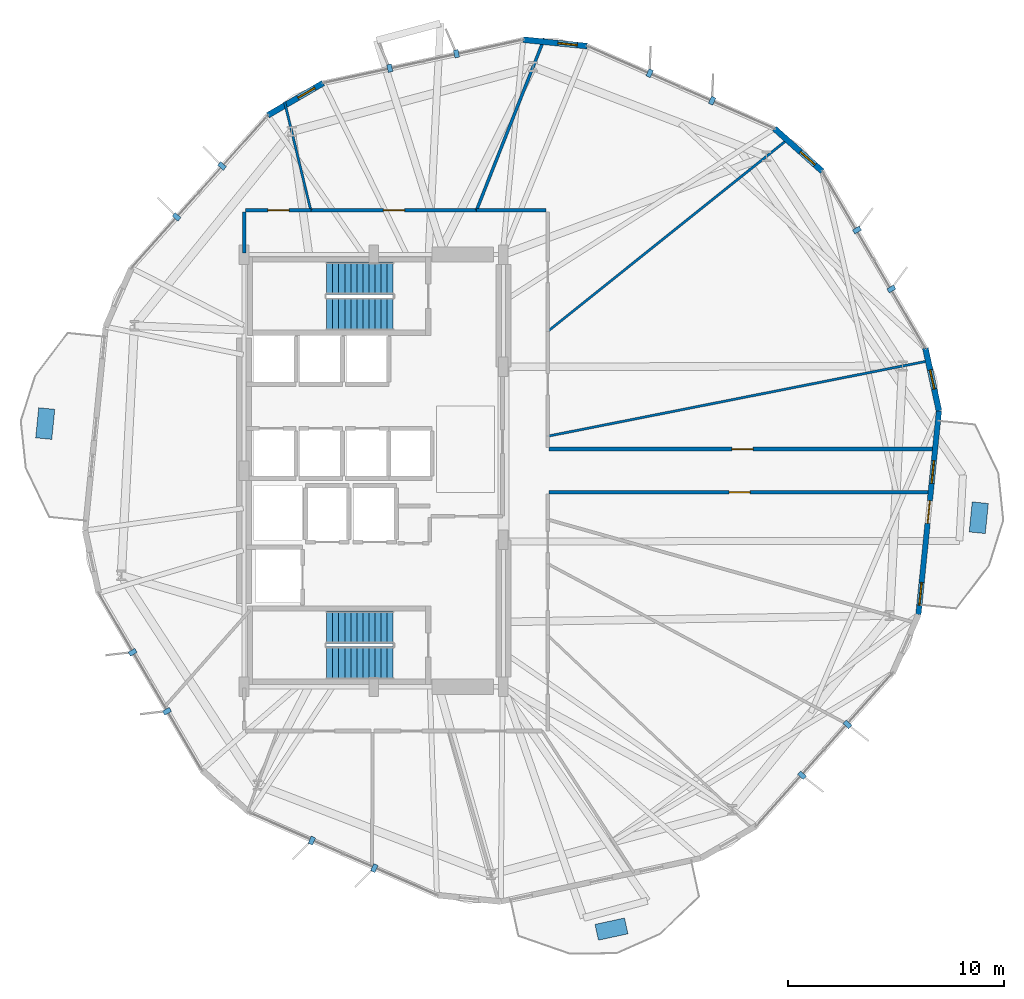
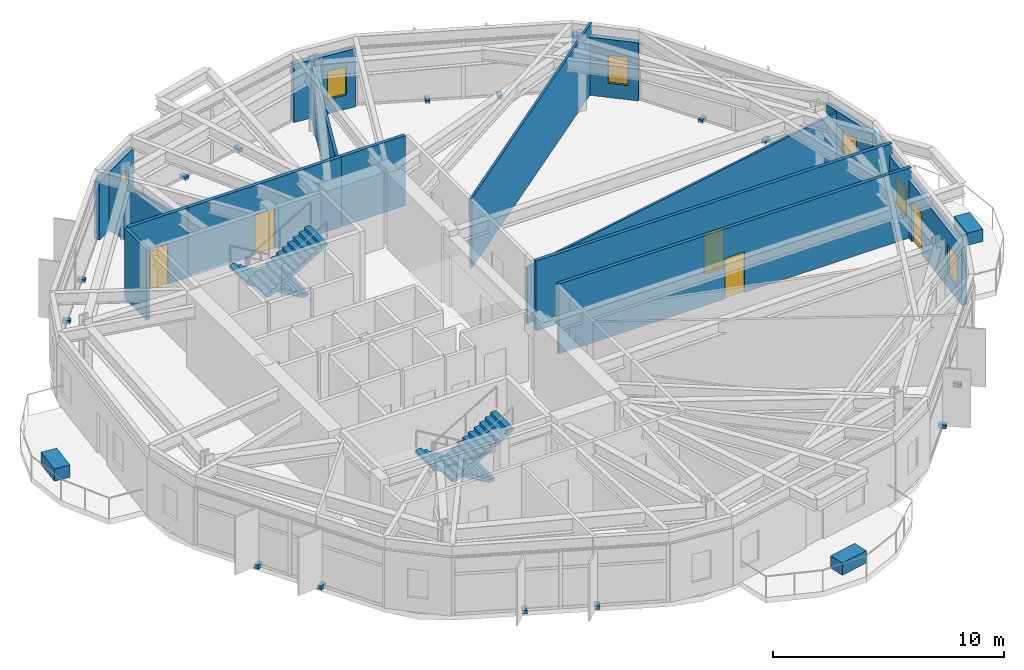
# One storey, part 19 of 22: 17 discrete accessories, 15 walls, 6 windows, 5 doors, 4 stair flights, 11 openings, 2 elements without a shape of their own.
"""IFC4 building model written with IfcOpenShell, lengths in metres."""

from ifc_helpers import new_model, si_unit, direction, frame, frame_2d, origin, origin_2d, place, context, subcontext, project, spatial, polyline, rectangle, outline, extrude, material, layer, layer_set, type_object, element, fill, aggregate, save


model = new_model("IFC4")

# Units and contexts
model_context = context("Model", 3, precision=1e-05, world=origin(), true_north=direction((0.0, 1.0)))
body_context = subcontext(model_context, "Body", "Model", "MODEL_VIEW")
ifc_project = project(units=[si_unit("LENGTHUNIT", "METRE"), si_unit("AREAUNIT", "SQUARE_METRE"), si_unit("VOLUMEUNIT", "CUBIC_METRE"), si_unit("PLANEANGLEUNIT", "RADIAN"), si_unit("MASSUNIT", "GRAM", prefix="KILO")], contexts=[model_context])

# Site, building, storey
site_placement = place(None, origin())
site = spatial("IfcSite", under=ifc_project, at=site_placement, CompositionType="ELEMENT")
building_placement = place(site_placement, origin())
building = spatial("IfcBuilding", under=site, at=building_placement, Name="Soratama Intermodal Tower", CompositionType="ELEMENT")
storey_placement = place(building_placement, frame((0.0, 0.0, 74.60009765625)))
storey = spatial("IfcBuildingStorey", under=building, at=storey_placement, Name="L17", CompositionType="ELEMENT", Elevation=74.60009765625)

# Wall, openings, door, windows
ifc_material_1 = material(Name="Concrete f'c 42 MPa", Category="concrete")
ifc_layer_1 = layer(ifc_material_1, 0.25)
ifc_layer_set_1 = layer_set([ifc_layer_1], Name="Concrete f'c 42 MPa")
wall_type_1 = type_object("IfcWallType", Name="EW-BAL-250", PredefinedType="SOLIDWALL", material=ifc_layer_set_1)
wall_1_placement = place(storey_placement, frame((63.81005859375, 18.340087890625, 0.0), z_axis=(0.0, 0.0, 1.0), x_axis=(0.100365790493, 0.994950605859, 0.0)))
wall_1 = element("IfcWall", 1, at=wall_1_placement, inside=storey, type_object=wall_type_1, Name="L17 Terrace Wall F10", PredefinedType="SOLIDWALL", context=body_context, shape_type="SweptSolid", body=[
    extrude(rectangle(XDim=9.47705078125, YDim=0.25, at=frame_2d((4.738525390625, 0.0))), origin(), (0.0, 0.0, 1.0), 3.078857421875),
])
opening_1_placement = place(wall_1_placement, frame((4.238525390625, 0.0, 0.0)))
opening_1 = element("IfcOpeningElement", 2, at=opening_1_placement, cuts=wall_1, Name="Opening ED-5", PredefinedType="OPENING", context=body_context, shape_type="SweptSolid", body=[
    extrude(rectangle(XDim=1.050048828125, YDim=2.14990234375, at=frame_2d((0.52490234375, 1.074951171875))), frame((0.0, 0.135009765625, 0.0), z_axis=(0.0, -1.0, 0.0), x_axis=(1.0, 0.0, 0.0)), (0.0, 0.0, 1.0), 0.27001953125),
])
opening_2_placement = place(wall_1_placement, frame((0.43994140625, 0.0, 0.719970703125)))
opening_2 = element("IfcOpeningElement", 3, at=opening_2_placement, cuts=wall_1, Name="Opening WN-5", PredefinedType="OPENING", context=body_context, shape_type="SweptSolid", body=[
    extrude(rectangle(XDim=1.050048828125, YDim=1.550048828125, at=frame_2d((0.52490234375, 0.77490234375))), frame((0.0, 0.135009765625, 0.0), z_axis=(0.0, -1.0, 0.0), x_axis=(1.0, 0.0, 0.0)), (0.0, 0.0, 1.0), 0.27001953125),
])
opening_3_placement = place(wall_1_placement, frame((6.10009765625, 0.0, 0.719970703125)))
opening_3 = element("IfcOpeningElement", 4, at=opening_3_placement, cuts=wall_1, Name="Opening WN-5", PredefinedType="OPENING", context=body_context, shape_type="SweptSolid", body=[
    extrude(rectangle(XDim=1.050048828125, YDim=1.550048828125, at=frame_2d((0.52490234375, 0.77490234375))), frame((0.0, 0.135009765625, 0.0), z_axis=(0.0, -1.0, 0.0), x_axis=(1.0, 0.0, 0.0)), (0.0, 0.0, 1.0), 0.27001953125),
])
ifc_material_2 = material(Name="Double-glazed aluminium door", Category="aluminium")
door_type_1 = type_object("IfcDoorType", Name="DR-BAL-1050", OperationType="NOTDEFINED", PredefinedType="DOOR", material=ifc_material_2)
door_1_placement = place(opening_1_placement, origin())
door_1 = element("IfcDoor", 5, at=door_1_placement, inside=storey, type_object=door_type_1, Name="L17 Balcony Door F10", OperationType="SINGLE_SWING_RIGHT", OverallHeight=2.14990234375, OverallWidth=1.050048828125, PredefinedType="DOOR", context=body_context, shape_type="SweptSolid", body=[
    extrude(rectangle(XDim=1.050048828125, YDim=2.14990234375, at=frame_2d((0.52490234375, 1.074951171875))), frame((0.0, 0.02490234375, 0.0), z_axis=(0.0, -1.0, 0.0), x_axis=(1.0, 0.0, 0.0)), (0.0, 0.0, 1.0), 0.050048828125),
])
fill(opening_1, door_1)
ifc_material_3 = material(Name="Double-glazed aluminium window", Category="aluminium")
window_type_1 = type_object("IfcWindowType", Name="WN-FAC-1050", PartitioningType="SINGLE_PANEL", PredefinedType="WINDOW", material=ifc_material_3)
window_1_placement = place(opening_2_placement, origin())
window_1 = element("IfcWindow", 6, at=window_1_placement, inside=storey, type_object=window_type_1, Name="L17 Window A F10", OverallHeight=1.550048828125, OverallWidth=1.050048828125, PartitioningType="SINGLE_PANEL", PredefinedType="WINDOW", context=body_context, shape_type="SweptSolid", body=[
    extrude(rectangle(XDim=1.050048828125, YDim=1.550048828125, at=frame_2d((0.52490234375, 0.77490234375))), frame((0.0, 0.030029296875, 0.0), z_axis=(0.0, -1.0, 0.0), x_axis=(1.0, 0.0, 0.0)), (0.0, 0.0, 1.0), 0.06005859375),
])
fill(opening_2, window_1)
window_2_placement = place(opening_3_placement, origin())
window_2 = element("IfcWindow", 7, at=window_2_placement, inside=storey, type_object=window_type_1, Name="L17 Window B F10", OverallHeight=1.550048828125, OverallWidth=1.050048828125, PartitioningType="SINGLE_PANEL", PredefinedType="WINDOW", context=body_context, shape_type="SweptSolid", body=[
    extrude(rectangle(XDim=1.050048828125, YDim=1.550048828125, at=frame_2d((0.52490234375, 0.77490234375))), frame((0.0, 0.030029296875, 0.0), z_axis=(0.0, -1.0, 0.0), x_axis=(1.0, 0.0, 0.0)), (0.0, 0.0, 1.0), 0.06005859375),
])
fill(opening_3, window_2)

# Wall, opening, window
ifc_material_4 = material(Name="Concrete f'c 42 MPa", Category="concrete")
ifc_layer_2 = layer(ifc_material_4, 0.27001953125)
ifc_layer_set_2 = layer_set([ifc_layer_2], Name="Concrete f'c 42 MPa")
wall_type_2 = type_object("IfcWallType", Name="EW-CRN-270", PredefinedType="SOLIDWALL", material=ifc_layer_set_2)
wall_2_placement = place(storey_placement, frame((59.359619140625, 38.855712890625, 0.0), z_axis=(0.0, 0.0, 1.0), x_axis=(-0.745968322864, 0.665981427131, 0.0)))
wall_2 = element("IfcWall", 8, at=wall_2_placement, inside=storey, type_object=wall_type_2, Name="L17 Corner Closure Wall 01", PredefinedType="SOLIDWALL", context=body_context, shape_type="SweptSolid", body=[
    extrude(rectangle(XDim=2.966796875, YDim=0.27001953125, at=frame_2d((1.4833984375, 0.0))), origin(), (0.0, 0.0, 1.0), 3.078857421875),
])
opening_4_placement = place(wall_2_placement, frame((0.449951171875, 0.0, 0.75)))
opening_4 = element("IfcOpeningElement", 9, at=opening_4_placement, cuts=wall_2, Name="Opening WN-6", PredefinedType="OPENING", context=body_context, shape_type="SweptSolid", body=[
    extrude(rectangle(XDim=0.89990234375, YDim=1.5, at=frame_2d((0.449951171875, 0.75))), frame((0.0, 0.14501953125, 0.0), z_axis=(0.0, -1.0, 0.0), x_axis=(1.0, 0.0, 0.0)), (0.0, 0.0, 1.0), 0.2900390625),
])
ifc_material_5 = material(Name="Double-glazed aluminium window", Category="aluminium")
window_type_2 = type_object("IfcWindowType", Name="WN-FAC-900", PartitioningType="SINGLE_PANEL", PredefinedType="WINDOW", material=ifc_material_5)
window_3_placement = place(opening_4_placement, origin())
window_3 = element("IfcWindow", 10, at=window_3_placement, inside=storey, type_object=window_type_2, Name="L17 Corner Window 01", OverallHeight=1.5, OverallWidth=0.89990234375, PartitioningType="SINGLE_PANEL", PredefinedType="WINDOW", context=body_context, shape_type="SweptSolid", body=[
    extrude(rectangle(XDim=0.89990234375, YDim=1.5, at=frame_2d((0.449951171875, 0.75))), frame((0.0, 0.030029296875, 0.0), z_axis=(0.0, -1.0, 0.0), x_axis=(1.0, 0.0, 0.0)), (0.0, 0.0, 1.0), 0.06005859375),
])
fill(opening_4, window_3)

wall_3_placement = place(storey_placement, frame((48.472900390625, 44.64990234375, 0.0), z_axis=(0.0, 0.0, 1.0), x_axis=(-0.994955375676, 0.100318494868, 0.0)))
wall_3 = element("IfcWall", 11, at=wall_3_placement, inside=storey, type_object=wall_type_2, Name="L17 Corner Closure Wall 02", PredefinedType="SOLIDWALL", context=body_context, shape_type="SweptSolid", body=[
    extrude(rectangle(XDim=2.966552734375, YDim=0.27001953125, at=frame_2d((1.4833984375, 0.0))), origin(), (0.0, 0.0, 1.0), 3.078857421875),
])
opening_5_placement = place(wall_3_placement, frame((0.449951171875, 0.0, 0.75)))
opening_5 = element("IfcOpeningElement", 12, at=opening_5_placement, cuts=wall_3, Name="Opening WN-6", PredefinedType="OPENING", context=body_context, shape_type="SweptSolid", body=[
    extrude(rectangle(XDim=0.89990234375, YDim=1.5, at=frame_2d((0.449951171875, 0.75))), frame((0.0, 0.14501953125, 0.0), z_axis=(0.0, -1.0, 0.0), x_axis=(1.0, 0.0, 0.0)), (0.0, 0.0, 1.0), 0.2900390625),
])
window_4_placement = place(opening_5_placement, origin())
window_4 = element("IfcWindow", 13, at=window_4_placement, inside=storey, type_object=window_type_2, Name="L17 Corner Window 02", OverallHeight=1.5, OverallWidth=0.89990234375, PartitioningType="SINGLE_PANEL", PredefinedType="WINDOW", context=body_context, shape_type="SweptSolid", body=[
    extrude(rectangle(XDim=0.89990234375, YDim=1.5, at=frame_2d((0.449951171875, 0.75))), frame((0.0, 0.030029296875, 0.0), z_axis=(0.0, -1.0, 0.0), x_axis=(1.0, 0.0, 0.0)), (0.0, 0.0, 1.0), 0.06005859375),
])
fill(opening_5, window_4)

wall_4_placement = place(storey_placement, frame((36.259765625, 42.9384765625, 0.0), z_axis=(0.0, 0.0, 1.0), x_axis=(-0.863895290782, -0.503671447041, 0.0)))
wall_4 = element("IfcWall", 14, at=wall_4_placement, inside=storey, type_object=wall_type_2, Name="L17 Corner Closure Wall 03", PredefinedType="SOLIDWALL", context=body_context, shape_type="SweptSolid", body=[
    extrude(rectangle(XDim=2.966552734375, YDim=0.27001953125, at=frame_2d((1.4833984375, 0.0))), origin(), (0.0, 0.0, 1.0), 3.078857421875),
])
opening_6_placement = place(wall_4_placement, frame((0.449951171875, 0.0, 0.75)))
opening_6 = element("IfcOpeningElement", 15, at=opening_6_placement, cuts=wall_4, Name="Opening WN-6", PredefinedType="OPENING", context=body_context, shape_type="SweptSolid", body=[
    extrude(rectangle(XDim=0.89990234375, YDim=1.5, at=frame_2d((0.449951171875, 0.75))), frame((0.0, 0.14501953125, 0.0), z_axis=(0.0, -1.0, 0.0), x_axis=(1.0, 0.0, 0.0)), (0.0, 0.0, 1.0), 0.2900390625),
])
window_5_placement = place(opening_6_placement, origin())
window_5 = element("IfcWindow", 16, at=window_5_placement, inside=storey, type_object=window_type_2, Name="L17 Corner Window 03", OverallHeight=1.5, OverallWidth=0.89990234375, PartitioningType="SINGLE_PANEL", PredefinedType="WINDOW", context=body_context, shape_type="SweptSolid", body=[
    extrude(rectangle(XDim=0.89990234375, YDim=1.5, at=frame_2d((0.449951171875, 0.75))), frame((0.0, 0.030029296875, 0.0), z_axis=(0.0, -1.0, 0.0), x_axis=(1.0, 0.0, 0.0)), (0.0, 0.0, 1.0), 0.06005859375),
])
fill(opening_6, window_5)

wall_5_placement = place(storey_placement, frame((64.76123046875, 27.769287109375, 0.0), z_axis=(0.0, 0.0, 1.0), x_axis=(-0.212012761333, 0.977266897542, 0.0)))
wall_5 = element("IfcWall", 17, at=wall_5_placement, inside=storey, type_object=wall_type_2, Name="L17 Corner Closure Wall 10", PredefinedType="SOLIDWALL", context=body_context, shape_type="SweptSolid", body=[
    extrude(rectangle(XDim=2.96630859375, YDim=0.27001953125, at=frame_2d((1.483154296875, 0.0))), origin(), (0.0, 0.0, 1.0), 3.078857421875),
])
opening_7_placement = place(wall_5_placement, frame((1.033203125, 0.0, 0.75)))
opening_7 = element("IfcOpeningElement", 18, at=opening_7_placement, cuts=wall_5, Name="Opening WN-6", PredefinedType="OPENING", context=body_context, shape_type="SweptSolid", body=[
    extrude(rectangle(XDim=0.89990234375, YDim=1.5, at=frame_2d((0.449951171875, 0.75))), frame((0.0, 0.14501953125, 0.0), z_axis=(0.0, -1.0, 0.0), x_axis=(1.0, 0.0, 0.0)), (0.0, 0.0, 1.0), 0.2900390625),
])
window_6_placement = place(opening_7_placement, origin())
window_6 = element("IfcWindow", 19, at=window_6_placement, inside=storey, type_object=window_type_2, Name="L17 Corner Window 10", OverallHeight=1.5, OverallWidth=0.89990234375, PartitioningType="SINGLE_PANEL", PredefinedType="WINDOW", context=body_context, shape_type="SweptSolid", body=[
    extrude(rectangle(XDim=0.89990234375, YDim=1.5, at=frame_2d((0.449951171875, 0.75))), frame((0.0, 0.030029296875, 0.0), z_axis=(0.0, -1.0, 0.0), x_axis=(1.0, 0.0, 0.0)), (0.0, 0.0, 1.0), 0.06005859375),
])
fill(opening_7, window_6)

# Wall, opening, door
ifc_material_6 = material(Name="Fire-rated gypsum stud partition", Category="concrete")
ifc_layer_3 = layer(ifc_material_6, 0.169921875)
ifc_layer_set_3 = layer_set([ifc_layer_3], Name="Fire-rated gypsum stud partition")
wall_type_3 = type_object("IfcWallType", Name="IW-PART-R170", PredefinedType="PARTITIONING", material=ifc_layer_set_3)
wall_6_placement = place(storey_placement, frame((46.719970703125, 26.0, 0.0), z_axis=(0.0, 0.0, 1.0), x_axis=(1.0, 0.0, 0.0)))
wall_6 = element("IfcWall", 20, at=wall_6_placement, inside=storey, type_object=wall_type_3, Name="L17 Partition W-L17-TP002", PredefinedType="PARTITIONING", context=body_context, shape_type="SweptSolid", body=[
    extrude(rectangle(XDim=17.863037109375, YDim=0.169921875, at=frame_2d((8.931640625, 0.0))), origin(), (0.0, 0.0, 1.0), 3.699951171875),
])
opening_8_placement = place(wall_6_placement, frame((8.45703125, 0.0, 0.0)))
opening_8 = element("IfcOpeningElement", 21, at=opening_8_placement, cuts=wall_6, Name="Opening ID-5", PredefinedType="OPENING", context=body_context, shape_type="SweptSolid", body=[
    extrude(rectangle(XDim=0.97998046875, YDim=2.14990234375, at=frame_2d((0.489990234375, 1.074951171875))), frame((0.0, 0.094970703125, 0.0), z_axis=(0.0, -1.0, 0.0), x_axis=(1.0, 0.0, 0.0)), (0.0, 0.0, 1.0), 0.18994140625),
])
ifc_material_7 = material(Name="Solid hardwood acoustic door", Category="wood")
door_type_2 = type_object("IfcDoorType", Name="DR-OFF-980", OperationType="NOTDEFINED", PredefinedType="DOOR", material=ifc_material_7)
door_2_placement = place(opening_8_placement, origin())
door_2 = element("IfcDoor", 22, at=door_2_placement, inside=storey, type_object=door_type_2, Name="L17 Door D-L17-TP001", OperationType="SINGLE_SWING_RIGHT", OverallHeight=2.14990234375, OverallWidth=0.97998046875, PredefinedType="DOOR", context=body_context, shape_type="SweptSolid", body=[
    extrude(rectangle(XDim=0.97998046875, YDim=2.14990234375, at=frame_2d((0.489990234375, 1.074951171875))), frame((0.0, 0.02490234375, 0.0), z_axis=(0.0, -1.0, 0.0), x_axis=(1.0, 0.0, 0.0)), (0.0, 0.0, 1.0), 0.050048828125),
])
fill(opening_8, door_2)

wall_7_placement = place(storey_placement, frame((64.381103515625, 24.0, 0.0), z_axis=(0.0, 0.0, 1.0), x_axis=(-1.0, 0.0, 0.0)))
wall_7 = element("IfcWall", 23, at=wall_7_placement, inside=storey, type_object=wall_type_3, Name="L17 Partition W-L17-TP004", PredefinedType="PARTITIONING", context=body_context, shape_type="SweptSolid", body=[
    extrude(rectangle(XDim=17.6611328125, YDim=0.169921875, at=frame_2d((8.83056640625, 0.0))), origin(), (0.0, 0.0, 1.0), 3.699951171875),
])
opening_9_placement = place(wall_7_placement, frame((8.35595703125, 0.0, 0.0)))
opening_9 = element("IfcOpeningElement", 24, at=opening_9_placement, cuts=wall_7, Name="Opening ID-5", PredefinedType="OPENING", context=body_context, shape_type="SweptSolid", body=[
    extrude(rectangle(XDim=0.97998046875, YDim=2.14990234375, at=frame_2d((0.489990234375, 1.074951171875))), frame((0.0, 0.094970703125, 0.0), z_axis=(0.0, -1.0, 0.0), x_axis=(1.0, 0.0, 0.0)), (0.0, 0.0, 1.0), 0.18994140625),
])
door_3_placement = place(opening_9_placement, origin())
door_3 = element("IfcDoor", 25, at=door_3_placement, inside=storey, type_object=door_type_2, Name="L17 Door D-L17-TP002", OperationType="SINGLE_SWING_LEFT", OverallHeight=2.14990234375, OverallWidth=0.97998046875, PredefinedType="DOOR", context=body_context, shape_type="SweptSolid", body=[
    extrude(rectangle(XDim=0.97998046875, YDim=2.14990234375, at=frame_2d((0.489990234375, 1.074951171875))), frame((0.0, 0.02490234375, 0.0), z_axis=(0.0, -1.0, 0.0), x_axis=(1.0, 0.0, 0.0)), (0.0, 0.0, 1.0), 0.050048828125),
])
fill(opening_9, door_3)

wall_8_placement = place(storey_placement, frame((35.68701171875, 37.050048828125, 0.0), z_axis=(0.0, 0.0, 1.0), x_axis=(1.0, 0.0, 0.0)))
wall_8 = element("IfcWall", 26, at=wall_8_placement, inside=storey, type_object=wall_type_3, Name="L17 Partition W-L17-TP011", PredefinedType="PARTITIONING", context=body_context, shape_type="SweptSolid", body=[
    extrude(rectangle(XDim=7.669921875, YDim=0.169921875, at=frame_2d((3.8349609375, 0.0))), origin(), (0.0, 0.0, 1.0), 3.699951171875),
])
opening_10_placement = place(wall_8_placement, frame((3.360107421875, 0.0, 0.0)))
opening_10 = element("IfcOpeningElement", 27, at=opening_10_placement, cuts=wall_8, Name="Opening ID-5", PredefinedType="OPENING", context=body_context, shape_type="SweptSolid", body=[
    extrude(rectangle(XDim=0.97998046875, YDim=2.14990234375, at=frame_2d((0.489990234375, 1.074951171875))), frame((0.0, 0.094970703125, 0.0), z_axis=(0.0, -1.0, 0.0), x_axis=(1.0, 0.0, 0.0)), (0.0, 0.0, 1.0), 0.18994140625),
])
door_4_placement = place(opening_10_placement, origin())
door_4 = element("IfcDoor", 28, at=door_4_placement, inside=storey, type_object=door_type_2, Name="L17 Door D-L17-TP003", OperationType="SINGLE_SWING_RIGHT", OverallHeight=2.14990234375, OverallWidth=0.97998046875, PredefinedType="DOOR", context=body_context, shape_type="SweptSolid", body=[
    extrude(rectangle(XDim=0.97998046875, YDim=2.14990234375, at=frame_2d((0.489990234375, 1.074951171875))), frame((0.0, 0.02490234375, 0.0), z_axis=(0.0, -1.0, 0.0), x_axis=(1.0, 0.0, 0.0)), (0.0, 0.0, 1.0), 0.050048828125),
])
fill(opening_10, door_4)

# Wall
wall_9_placement = place(storey_placement, frame((43.35693359375, 37.050048828125, 0.0), z_axis=(0.0, 0.0, 1.0), x_axis=(1.0, 0.0, 0.0)))
element("IfcWall", 29, at=wall_9_placement, inside=storey, type_object=wall_type_3, Name="L17 Partition W-L17-TP025", PredefinedType="PARTITIONING", context=body_context, shape_type="SweptSolid", body=[
    extrude(rectangle(XDim=3.22314453125, YDim=0.169921875, at=frame_2d((1.611572265625, 0.0))), origin(), (0.0, 0.0, 1.0), 3.699951171875),
])

# Wall, opening, door
wall_10_placement = place(storey_placement, frame((32.669921875, 37.050048828125, 0.0), z_axis=(0.0, 0.0, 1.0), x_axis=(1.0, 0.0, 0.0)))
wall_10 = element("IfcWall", 30, at=wall_10_placement, inside=storey, type_object=wall_type_3, Name="L17 Partition W-L17-TP026", PredefinedType="PARTITIONING", context=body_context, shape_type="SweptSolid", body=[
    extrude(rectangle(XDim=3.01708984375, YDim=0.169921875, at=frame_2d((1.508544921875, 0.0))), origin(), (0.0, 0.0, 1.0), 3.699951171875),
])
opening_11_placement = place(wall_10_placement, frame((1.032958984375, 0.0, 0.0)))
opening_11 = element("IfcOpeningElement", 31, at=opening_11_placement, cuts=wall_10, Name="Opening ID-5", PredefinedType="OPENING", context=body_context, shape_type="SweptSolid", body=[
    extrude(rectangle(XDim=0.97998046875, YDim=2.14990234375, at=frame_2d((0.489990234375, 1.074951171875))), frame((0.0, 0.094970703125, 0.0), z_axis=(0.0, -1.0, 0.0), x_axis=(1.0, 0.0, 0.0)), (0.0, 0.0, 1.0), 0.18994140625),
])
door_5_placement = place(opening_11_placement, origin())
door_5 = element("IfcDoor", 32, at=door_5_placement, inside=storey, type_object=door_type_2, Name="L17 Door D-L17-TP013", OperationType="SINGLE_SWING_RIGHT", OverallHeight=2.14990234375, OverallWidth=0.97998046875, PredefinedType="DOOR", context=body_context, shape_type="SweptSolid", body=[
    extrude(rectangle(XDim=0.97998046875, YDim=2.14990234375, at=frame_2d((0.489990234375, 1.074951171875))), frame((0.0, 0.02490234375, 0.0), z_axis=(0.0, -1.0, 0.0), x_axis=(1.0, 0.0, 0.0)), (0.0, 0.0, 1.0), 0.050048828125),
])
fill(opening_11, door_5)

# Walls
wall_11_placement = place(storey_placement, frame((32.60009765625, 35.070068359375, 0.0), z_axis=(0.0, 0.0, 1.0), x_axis=(0.0, 1.0, 0.0)))
element("IfcWall", 33, at=wall_11_placement, inside=storey, type_object=wall_type_3, Name="L17 Partition W-L17-TP029", PredefinedType="PARTITIONING", context=body_context, shape_type="SweptSolid", body=[
    extrude(rectangle(XDim=1.909912109375, YDim=0.169921875, at=frame_2d((0.955078125, 0.0))), origin(), (0.0, 0.0, 1.0), 3.699951171875),
])
ifc_material_8 = material(Name="Fire-rated gypsum stud partition", Category="concrete")
ifc_layer_4 = layer(ifc_material_8, 0.110107421875)
ifc_layer_set_4 = layer_set([ifc_layer_4], Name="Fire-rated gypsum stud partition")
wall_type_4 = type_object("IfcWallType", Name="IW-PART-S110", PredefinedType="PARTITIONING", material=ifc_layer_set_4)
wall_12_placement = place(storey_placement, frame((46.64990234375, 26.593017578125, 0.0), z_axis=(0.0, 0.0, 1.0), x_axis=(0.980974085713, 0.194138721431, 0.0)))
element("IfcWall", 34, at=wall_12_placement, inside=storey, type_object=wall_type_4, Name="L17 Partition W-L17-TP001", PredefinedType="PARTITIONING", context=body_context, shape_type="SweptSolid", body=[
    extrude(rectangle(XDim=18.048583984375, YDim=0.110107421875, at=frame_2d((9.0244140625, 0.0))), origin(), (0.0, 0.0, 1.0), 2.994873046875),
])
wall_13_placement = place(storey_placement, frame((46.64990234375, 31.44189453125, 0.0), z_axis=(0.0, 0.0, 1.0), x_axis=(0.780817252488, 0.624759488297, 0.0)))
element("IfcWall", 35, at=wall_13_placement, inside=storey, type_object=wall_type_4, Name="L17 Partition W-L17-TP006", PredefinedType="PARTITIONING", context=body_context, shape_type="SweptSolid", body=[
    extrude(rectangle(XDim=14.322265625, YDim=0.110107421875, at=frame_2d((7.1611328125, 0.0))), origin(), (0.0, 0.0, 1.0), 3.699951171875),
])
wall_14_placement = place(storey_placement, frame((35.68701171875, 37.050048828125, 0.0), z_axis=(0.0, 0.0, 1.0), x_axis=(-0.235131176425, 0.971963646374, 0.0)))
element("IfcWall", 36, at=wall_14_placement, inside=storey, type_object=wall_type_4, Name="L17 Partition W-L17-TP016", PredefinedType="PARTITIONING", context=body_context, shape_type="SweptSolid", body=[
    extrude(rectangle(XDim=5.171875, YDim=0.110107421875, at=frame_2d((2.5859375, 0.0))), origin(), (0.0, 0.0, 1.0), 2.994873046875),
])
ifc_material_9 = material(Name="Fire-rated gypsum stud partition", Category="concrete")
ifc_layer_5 = layer(ifc_material_9, 0.139892578125)
ifc_layer_set_5 = layer_set([ifc_layer_5], Name="Fire-rated gypsum stud partition")
wall_type_5 = type_object("IfcWallType", Name="IW-PART-S140", PredefinedType="PARTITIONING", material=ifc_layer_set_5)
wall_15_placement = place(storey_placement, frame((43.35693359375, 37.050048828125, 0.0), z_axis=(0.0, 0.0, 1.0), x_axis=(0.367152881948, 0.930160610474, 0.0)))
element("IfcWall", 37, at=wall_15_placement, inside=storey, type_object=wall_type_5, Name="L17 Partition W-L17-TP008", PredefinedType="PARTITIONING", context=body_context, shape_type="SweptSolid", body=[
    extrude(rectangle(XDim=8.550048828125, YDim=0.139892578125, at=frame_2d((4.27490234375, 0.0))), origin(), (0.0, 0.0, 1.0), 2.994873046875),
])

# Stair, stair flights
ifc_material_10 = material(Name="Concrete f'c 42 MPa", Category="concrete")
stair_type = type_object("IfcStairType", Name="ST-CORE-DOGLEG", PredefinedType="HALF_TURN_STAIR", material=ifc_material_10)
stair_1_placement = place(storey_placement, origin())
stair_1 = element("IfcStair", 38, at=stair_1_placement, inside=storey, type_object=stair_type, Name="L17 ST-1", PredefinedType="HALF_TURN_STAIR")
ifc_material_11 = material(Name="Precast concrete f'c 40 MPa", Category="concrete")
ifc_layer_6 = layer(ifc_material_11, 0.199951171875)
ifc_layer_set_6 = layer_set([ifc_layer_6], Name="Precast concrete f'c 40 MPa")
stair_flight_type = type_object("IfcStairFlightType", Name="SF-FLIGHT-RC", PredefinedType="STRAIGHT", material=ifc_layer_set_6)
stair_flight_1_placement = place(storey_placement, frame((39.5, 17.75, 0.0), z_axis=(0.0, 0.0, 1.0), x_axis=(-1.0, 0.0, 0.0)))
stair_flight_1 = element("IfcStairFlight", 39, at=stair_flight_1_placement, type_object=stair_flight_type, Name="ST-1 flight 1", NumberOfRisers=12, NumberOfTreads=11, PredefinedType="STRAIGHT", RiserHeight=0.166666667, TreadLength=0.28, context=body_context, shape_type="SweptSolid", body=[
    extrude(outline(polyline([(0.0, 0.0), (0.0, 0.166748046875), (0.280029296875, 0.166748046875), (0.280029296875, 0.333251953125), (0.56005859375, 0.333251953125), (0.56005859375, 0.5), (0.840087890625, 0.5), (0.840087890625, 0.666748046875), (1.1201171875, 0.666748046875), (1.1201171875, 0.833251953125), (1.39990234375, 0.833251953125), (1.39990234375, 1.0), (1.679931640625, 1.0), (1.679931640625, 1.166748046875), (1.9599609375, 1.166748046875), (1.9599609375, 1.333251953125), (2.239990234375, 1.333251953125), (2.239990234375, 1.5), (2.52001953125, 1.5), (2.52001953125, 1.666748046875), (2.800048828125, 1.666748046875), (2.800048828125, 1.833251953125), (3.080078125, 1.833251953125), (3.080078125, 2.0), (3.080078125, 1.658935546875), (0.29296875, 0.0), (0.0, 0.0)])), frame((0.0, 0.75, 0.0), z_axis=(0.0, -1.0, 0.0), x_axis=(1.0, 0.0, 0.0)), (0.0, 0.0, 1.0), 1.5),
])
stair_flight_2_placement = place(storey_placement, frame((36.419921875, 16.10009765625, 2.0), z_axis=(0.0, 0.0, 1.0), x_axis=(1.0, 0.0, 0.0)))
stair_flight_2 = element("IfcStairFlight", 40, at=stair_flight_2_placement, type_object=stair_flight_type, Name="ST-1 flight 2", NumberOfRisers=12, NumberOfTreads=11, PredefinedType="STRAIGHT", RiserHeight=0.166666667, TreadLength=0.28, context=body_context, shape_type="SweptSolid", body=[
    extrude(outline(polyline([(0.0, 0.0), (0.0, 0.166748046875), (0.280029296875, 0.166748046875), (0.280029296875, 0.333251953125), (0.56005859375, 0.333251953125), (0.56005859375, 0.5), (0.840087890625, 0.5), (0.840087890625, 0.666748046875), (1.1201171875, 0.666748046875), (1.1201171875, 0.833251953125), (1.39990234375, 0.833251953125), (1.39990234375, 1.0), (1.679931640625, 1.0), (1.679931640625, 1.166748046875), (1.9599609375, 1.166748046875), (1.9599609375, 1.333251953125), (2.239990234375, 1.333251953125), (2.239990234375, 1.5), (2.52001953125, 1.5), (2.52001953125, 1.666748046875), (2.800048828125, 1.666748046875), (2.800048828125, 1.833251953125), (3.080078125, 1.833251953125), (3.080078125, 2.0), (3.080078125, 1.658935546875), (0.29296875, 0.0), (0.0, 0.0)])), frame((0.0, 0.75, 0.0), z_axis=(0.0, -1.0, 0.0), x_axis=(1.0, 0.0, 0.0)), (0.0, 0.0, 1.0), 1.5),
])
aggregate(stair_1, [stair_flight_1, stair_flight_2])

stair_2_placement = place(storey_placement, origin())
stair_2 = element("IfcStair", 41, at=stair_2_placement, inside=storey, type_object=stair_type, Name="L17 ST-2", PredefinedType="HALF_TURN_STAIR")
stair_flight_3_placement = place(storey_placement, frame((39.5, 33.89990234375, 0.0), z_axis=(0.0, 0.0, 1.0), x_axis=(-1.0, 0.0, 0.0)))
stair_flight_3 = element("IfcStairFlight", 42, at=stair_flight_3_placement, type_object=stair_flight_type, Name="ST-2 flight 1", NumberOfRisers=12, NumberOfTreads=11, PredefinedType="STRAIGHT", RiserHeight=0.166666667, TreadLength=0.28, context=body_context, shape_type="SweptSolid", body=[
    extrude(outline(polyline([(0.0, 0.0), (0.0, 0.166748046875), (0.280029296875, 0.166748046875), (0.280029296875, 0.333251953125), (0.56005859375, 0.333251953125), (0.56005859375, 0.5), (0.840087890625, 0.5), (0.840087890625, 0.666748046875), (1.1201171875, 0.666748046875), (1.1201171875, 0.833251953125), (1.39990234375, 0.833251953125), (1.39990234375, 1.0), (1.679931640625, 1.0), (1.679931640625, 1.166748046875), (1.9599609375, 1.166748046875), (1.9599609375, 1.333251953125), (2.239990234375, 1.333251953125), (2.239990234375, 1.5), (2.52001953125, 1.5), (2.52001953125, 1.666748046875), (2.800048828125, 1.666748046875), (2.800048828125, 1.833251953125), (3.080078125, 1.833251953125), (3.080078125, 2.0), (3.080078125, 1.658935546875), (0.29296875, 0.0), (0.0, 0.0)])), frame((0.0, 0.75, 0.0), z_axis=(0.0, -1.0, 0.0), x_axis=(1.0, 0.0, 0.0)), (0.0, 0.0, 1.0), 1.5),
])
stair_flight_4_placement = place(storey_placement, frame((36.419921875, 32.25, 2.0), z_axis=(0.0, 0.0, 1.0), x_axis=(1.0, 0.0, 0.0)))
stair_flight_4 = element("IfcStairFlight", 43, at=stair_flight_4_placement, type_object=stair_flight_type, Name="ST-2 flight 2", NumberOfRisers=12, NumberOfTreads=11, PredefinedType="STRAIGHT", RiserHeight=0.166666667, TreadLength=0.28, context=body_context, shape_type="SweptSolid", body=[
    extrude(outline(polyline([(0.0, 0.0), (0.0, 0.166748046875), (0.280029296875, 0.166748046875), (0.280029296875, 0.333251953125), (0.56005859375, 0.333251953125), (0.56005859375, 0.5), (0.840087890625, 0.5), (0.840087890625, 0.666748046875), (1.1201171875, 0.666748046875), (1.1201171875, 0.833251953125), (1.39990234375, 0.833251953125), (1.39990234375, 1.0), (1.679931640625, 1.0), (1.679931640625, 1.166748046875), (1.9599609375, 1.166748046875), (1.9599609375, 1.333251953125), (2.239990234375, 1.333251953125), (2.239990234375, 1.5), (2.52001953125, 1.5), (2.52001953125, 1.666748046875), (2.800048828125, 1.666748046875), (2.800048828125, 1.833251953125), (3.080078125, 1.833251953125), (3.080078125, 2.0), (3.080078125, 1.658935546875), (0.29296875, 0.0), (0.0, 0.0)])), frame((0.0, 0.75, 0.0), z_axis=(0.0, -1.0, 0.0), x_axis=(1.0, 0.0, 0.0)), (0.0, 0.0, 1.0), 1.5),
])
aggregate(stair_2, [stair_flight_3, stair_flight_4])

# Discrete accessories
ifc_material_12 = material(Name="Structural steel ASTM A992 Grade 50", Category="steel")
discrete_accessory_type_1 = type_object("IfcDiscreteAccessoryType", Name="AC-FIN-BRACKET", PredefinedType="BRACKET", material=ifc_material_12)
for number, where, z_axis, x_axis, name in (
    (44, (62.55859375, 33.407470703125, -0.080078125), (0.0, 0.0, 1.0), (0.863923417193, 0.503623201636, 0.0), "L17 Fin Bracket F01-1"),
    (45, (60.9677734375, 36.13671875, -0.080078125), (0.0, 0.0, 1.0), (0.863923417193, 0.503623201636, 0.0), "L17 Fin Bracket F01-2"),
    (46, (54.263427734375, 42.12255859375, -0.080078125), (0.0, 0.0, 1.0), (0.402906435714, 0.915241172621, 0.0), "L17 Fin Bracket F02-1"),
    (47, (51.372314453125, 43.395263671875, -0.080078125), (0.0, 0.0, 1.0), (0.402906435714, 0.915241172621, 0.0), "L17 Fin Bracket F02-2"),
    (48, (42.429931640625, 44.29736328125, -0.080078125), (0.0, 0.0, 1.0), (-0.212007109922, 0.977268123568, 0.0), "L17 Fin Bracket F03-1"),
    (49, (39.3427734375, 43.627685546875, -0.080078125), (0.0, 0.0, 1.0), (-0.212007109922, 0.977268123568, 0.0), "L17 Fin Bracket F03-2"),
    (50, (31.577880859375, 39.101318359375, -0.080078125), (0.0, 0.0, 1.0), (-0.745941145424, 0.666011867434, 0.0), "L17 Fin Bracket F04-1"),
    (51, (29.47412109375, 36.744873046875, -0.080078125), (0.0, 0.0, 1.0), (-0.745941145424, 0.666011867434, 0.0), "L17 Fin Bracket F04-2"),
    (52, (27.44140625, 16.592529296875, -0.080078125), (0.0, 0.0, 1.0), (-0.863923417193, -0.503623201636, 0.0), "L17 Fin Bracket F06-1"),
    (53, (29.0322265625, 13.86328125, -0.080078125), (0.0, 0.0, 1.0), (-0.863923417193, -0.503623201636, 0.0), "L17 Fin Bracket F06-2"),
    (54, (35.736572265625, 7.87744140625, -0.080078125), (0.0, 0.0, 1.0), (-0.402906435714, -0.915241172621, 0.0), "L17 Fin Bracket F07-1"),
    (55, (38.627685546875, 6.604736328125, -0.080078125), (0.0, 0.0, 1.0), (-0.402906435714, -0.915241172621, 0.0), "L17 Fin Bracket F07-2"),
    (56, (58.422119140625, 10.898681640625, -0.080078125), (0.0, 0.0, 1.0), (0.745941145424, -0.666011867434, 0.0), "L17 Fin Bracket F09-1"),
    (57, (60.52587890625, 13.255126953125, -0.080078125), (0.0, 0.0, 1.0), (0.745941145424, -0.666011867434, 0.0), "L17 Fin Bracket F09-2"),
):
    element("IfcDiscreteAccessory", number, at=place(storey_placement, frame(where, z_axis=z_axis, x_axis=x_axis)), inside=storey, type_object=discrete_accessory_type_1, Name=name, PredefinedType="BRACKET", context=body_context, shape_type="SweptSolid", body=[
        extrude(rectangle(XDim=0.360107421875, YDim=0.219970703125, at=origin_2d()), origin(), (0.0, 0.0, 1.0), 0.199951171875),
    ])
ifc_material_13 = material(Name="Precast concrete f'c 40 MPa", Category="concrete")
discrete_accessory_type_2 = type_object("IfcDiscreteAccessoryType", Name="AC-PLANTER-TREE", PredefinedType="USERDEFINED", material=ifc_material_13)
for number, where, z_axis, x_axis, name in (
    (58, (66.60400390625, 22.82080078125, 0.0), (0.0, 0.0, 1.0), (0.994951016981, -0.100361714851, 0.0), "L17 Tree Planter 1"),
    (59, (23.39599609375, 27.17919921875, 0.0), (0.0, 0.0, 1.0), (-0.994951016981, 0.100361714851, 0.0), "L17 Tree Planter 2"),
    (60, (49.603515625, 3.780029296875, 0.0), (0.0, 0.0, 1.0), (0.212007109922, -0.977268123568, 0.0), "L17 Tree Planter 3"),
):
    element("IfcDiscreteAccessory", number, at=place(storey_placement, frame(where, z_axis=z_axis, x_axis=x_axis)), inside=storey, type_object=discrete_accessory_type_2, Name=name, ObjectType="PLANTER", PredefinedType="USERDEFINED", context=body_context, shape_type="SweptSolid", body=[
        extrude(rectangle(XDim=0.75, YDim=1.39990234375, at=origin_2d()), origin(), (0.0, 0.0, 1.0), 0.64990234375),
    ])

save(model, "model.ifc")
